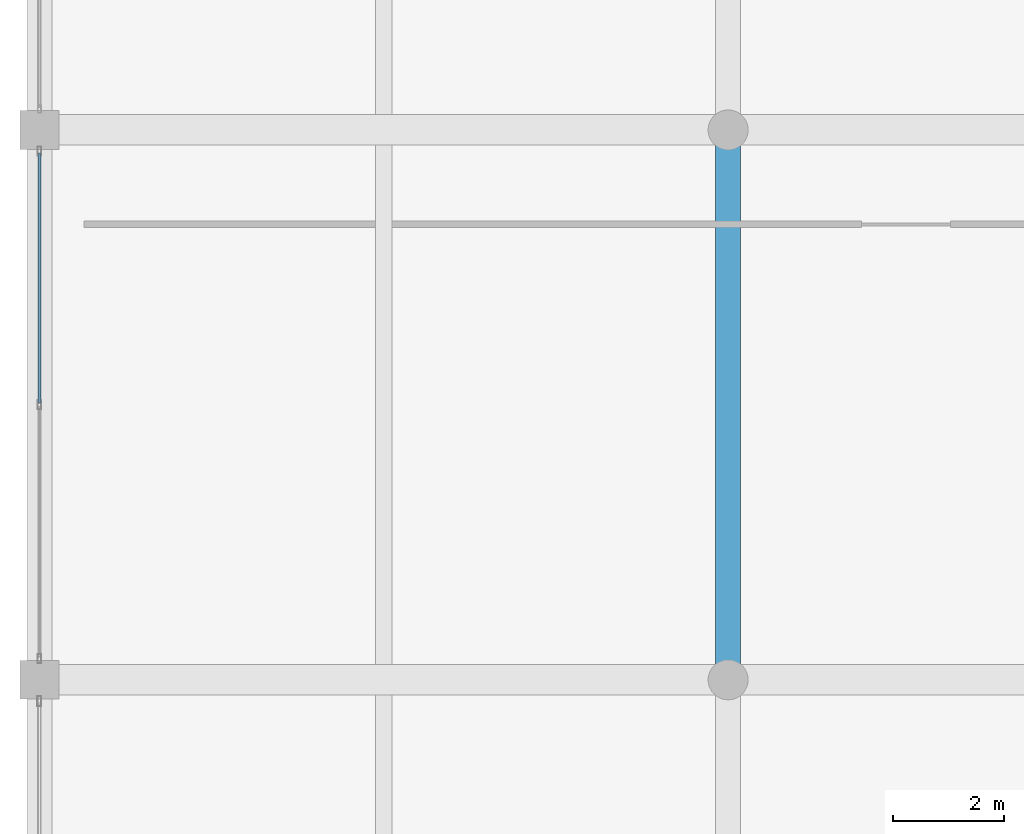
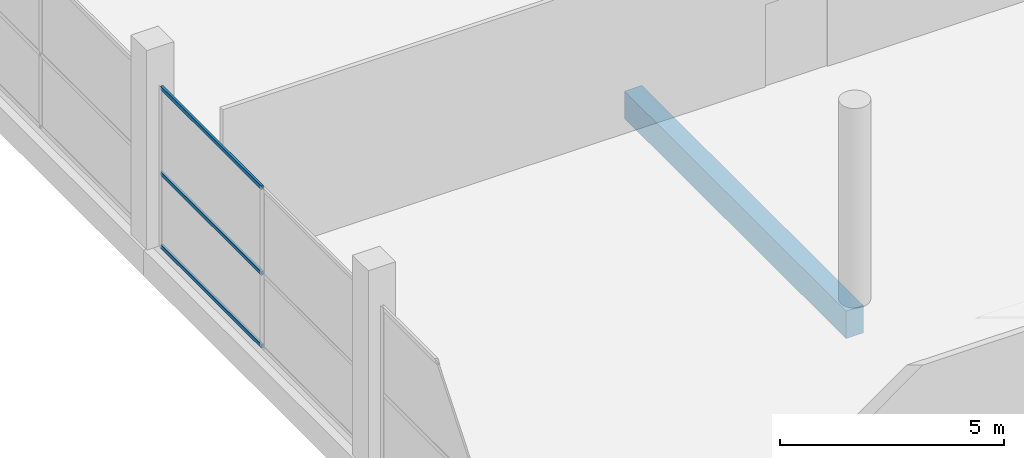
# One storey, part 24 of 72: 3 members, 1 beam, 1 element without a shape of its own.
"""IFC4 building model written with IfcOpenShell, lengths in metres."""

from ifc_helpers import new_model, si_unit, direction, frame, origin, origin_2d, place, context, subcontext, project, spatial, rectangle, hollow_rectangle, extrude, material, layer, layer_set, material_profile, profile_set, type_object, element, aggregate, save


model = new_model("IFC4")

# Units and contexts
model_context = context("Model", 3, precision=1e-05, world=origin(), true_north=direction((0.0, 1.0)))
body_context = subcontext(model_context, "Body", "Model", "MODEL_VIEW")
ifc_project = project(units=[si_unit("LENGTHUNIT", "METRE"), si_unit("AREAUNIT", "SQUARE_METRE"), si_unit("VOLUMEUNIT", "CUBIC_METRE"), si_unit("PLANEANGLEUNIT", "RADIAN"), si_unit("MASSUNIT", "GRAM", prefix="KILO")], contexts=[model_context])

# Site, building, storey
site_placement = place(None, origin())
site = spatial("IfcSite", under=ifc_project, at=site_placement, CompositionType="ELEMENT")
building_placement = place(site_placement, origin())
building = spatial("IfcBuilding", under=site, at=building_placement, Name="Sillaruma Civic Art Gallery", CompositionType="ELEMENT")
storey_placement = place(building_placement, frame((0.0, 0.0, 10.8798828125)))
storey = spatial("IfcBuildingStorey", under=building, at=storey_placement, Name="L02", CompositionType="ELEMENT", Elevation=10.8798828125)

# Beam
ifc_material_1 = material(Name="Concrete H40 (40 MPa)", Category="concrete")
ifc_material_profile_1 = material_profile(ifc_material_1, rectangle(XDim=0.449951171875, YDim=0.75, at=origin_2d()), Name="RCB450x750")
ifc_profile_set_1 = profile_set([ifc_material_profile_1], Name="Concrete H40 (40 MPa)")
beam_type = type_object("IfcBeamType", Name="BM-BEAM-RCB450x750", PredefinedType="BEAM", material=ifc_profile_set_1)
beam_placement = place(storey_placement, frame((12.39990234375, 99.0, -0.634765625), z_axis=(0.0, 1.0, 0.0), x_axis=(-1.0, 0.0, 0.0)))
element("IfcBeam", 1, at=beam_placement, inside=storey, type_object=beam_type, Name="Beam BM-03 (L01:B:11-12)", PredefinedType="BEAM", context=body_context, shape_type="SweptSolid", body=[
    extrude(rectangle(XDim=0.449951171875, YDim=0.75, at=origin_2d()), origin(), (0.0, 0.0, 1.0), 9.89990234375),
])

# Curtain wall, members
ifc_material_2 = material(Name="Thermally Broken Extruded Aluminium 6063-T6", Category="aluminium")
ifc_layer = layer(ifc_material_2, 0.159912109375, Name="Thermally Broken Extruded Aluminium 6063-T6")
ifc_layer_set = layer_set([ifc_layer], Name="Thermally Broken Extruded Aluminium 6063-T6")
curtain_wall_type = type_object("IfcCurtainWallType", Name="CW-UNI-10", PredefinedType="NOTDEFINED", material=ifc_layer_set)
curtain_wall_placement = place(storey_placement, origin())
curtain_wall = element("IfcCurtainWall", 2, at=curtain_wall_placement, inside=storey, type_object=curtain_wall_type, Name="Unitised Curtain Wall CW-10 (CW-L02-WSTR-3)", PredefinedType="NOTDEFINED")
ifc_material_profile_2 = material_profile(ifc_material_2, hollow_rectangle(XDim=0.06005859375, YDim=0.10009765625, WallThickness=0.003173828125, at=origin_2d()), Name="CWT60x100")
ifc_profile_set_2 = profile_set([ifc_material_profile_2], Name="Thermally Broken Extruded Aluminium 6063-T6")
member_type = type_object("IfcMemberType", Name="MEM-TRN-CWT60x100", PredefinedType="USERDEFINED", material=ifc_profile_set_2)
member_1_placement = place(storey_placement, frame((0.0, 103.982421875, 0.030029296875), z_axis=(0.0, 1.0, 0.0), x_axis=(-1.0, 0.0, 0.0)))
member_1 = element("IfcMember", 3, at=member_1_placement, type_object=member_type, Name="CW-10 transom 2.1", ObjectType="TRANSOM", PredefinedType="USERDEFINED", context=body_context, shape_type="SweptSolid", body=[
    extrude(hollow_rectangle(XDim=0.06005859375, YDim=0.10009765625, WallThickness=0.003173828125, at=origin_2d()), origin(), (0.0, 0.0, 1.0), 4.502685546875),
])
member_2_placement = place(storey_placement, frame((0.0, 103.982421875, 2.014892578125), z_axis=(0.0, 1.0, 0.0), x_axis=(-1.0, 0.0, 0.0)))
member_2 = element("IfcMember", 4, at=member_2_placement, type_object=member_type, Name="CW-10 transom 2.2", ObjectType="TRANSOM", PredefinedType="USERDEFINED", context=body_context, shape_type="SweptSolid", body=[
    extrude(hollow_rectangle(XDim=0.06005859375, YDim=0.10009765625, WallThickness=0.003173828125, at=origin_2d()), origin(), (0.0, 0.0, 1.0), 4.502685546875),
])
member_3_placement = place(storey_placement, frame((0.0, 103.982421875, 4.35009765625), z_axis=(0.0, 1.0, 0.0), x_axis=(-1.0, 0.0, 0.0)))
member_3 = element("IfcMember", 5, at=member_3_placement, type_object=member_type, Name="CW-10 transom 2.3", ObjectType="TRANSOM", PredefinedType="USERDEFINED", context=body_context, shape_type="SweptSolid", body=[
    extrude(hollow_rectangle(XDim=0.06005859375, YDim=0.10009765625, WallThickness=0.003173828125, at=origin_2d()), origin(), (0.0, 0.0, 1.0), 4.502685546875),
])
aggregate(curtain_wall, [member_1, member_2, member_3])

save(model, "model.ifc")
